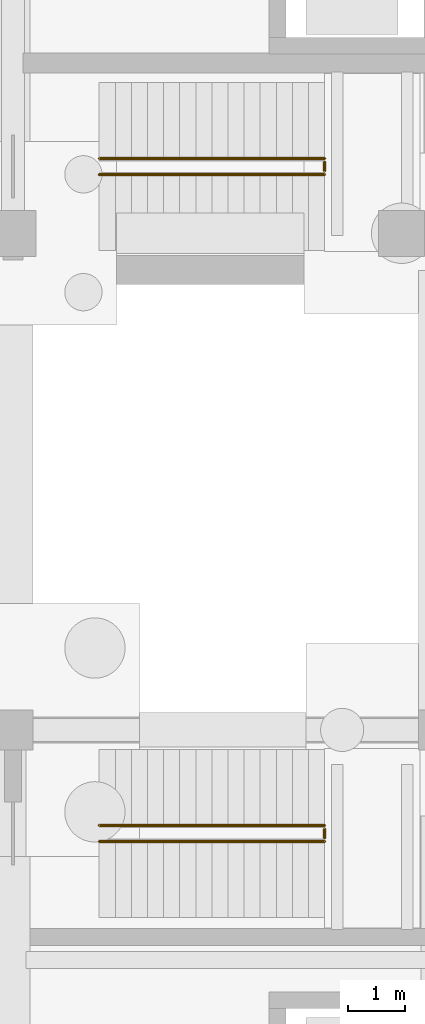
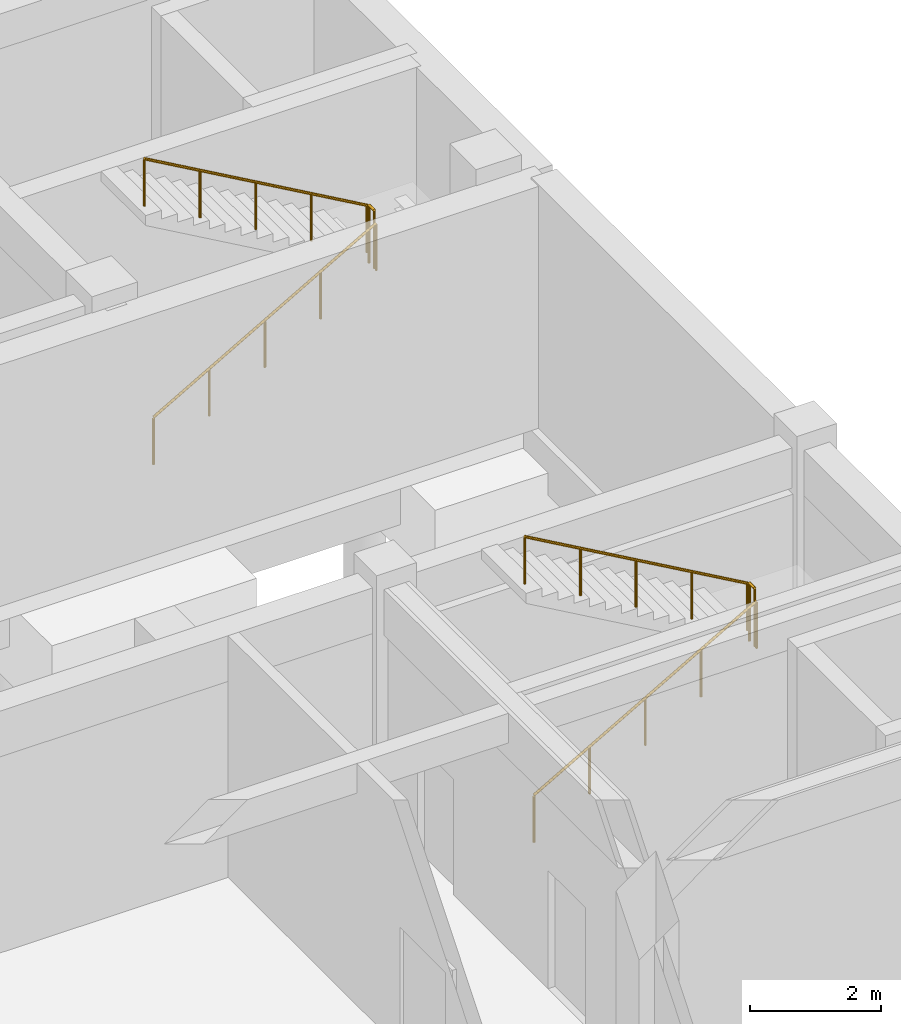
# One storey, part 33 of 35: 6 railings.
"""IFC4 building model written with IfcOpenShell, lengths in metres."""

import ifcopenshell
import ifcopenshell.guid

model = None  # the IFC model being written
_history = None  # IfcOwnerHistory: only IFC2X3 demands one
_inside = {}  # id of a spatial element -> (the spatial element, [elements in it])
_under = {}  # id of a project, library or spatial element -> (it, [spatial elements below it])
_declared = {}  # id of a project -> (the project, [libraries it declares])
_typed = {}  # id of a type object -> (the type object, [elements of that type])
_made_of = {}  # id of a material, layer set ... -> (it, [elements and type objects made of it])


def new_model(schema):
    """Start an empty IFC model of exactly this schema.

    Asked for "IFC4X3", IfcOpenShell would pick the latest addendum, in which some entities
    have other attributes; the version numbers below select the first issue.
    IFC2X3 requires an IfcOwnerHistory on every rooted entity: one is made here for all.
    """
    global model, _history
    if schema == "IFC4X3":
        model = ifcopenshell.file(schema_version=(4, 3, 0, 0))
    else:
        model = ifcopenshell.file(schema=schema)
    _inside.clear()
    _under.clear()
    _declared.clear()
    _typed.clear()
    _made_of.clear()
    _history = None
    if model.schema == "IFC2X3":
        org = make("IfcOrganization", Name="unknown")
        user = make(
            "IfcPersonAndOrganization",
            ThePerson=make("IfcPerson", FamilyName="unknown"),
            TheOrganization=org,
        )
        app = make(
            "IfcApplication",
            ApplicationDeveloper=org,
            Version="unknown",
            ApplicationFullName="unknown",
            ApplicationIdentifier="unknown",
        )
        _history = make(
            "IfcOwnerHistory",
            OwningUser=user,
            OwningApplication=app,
            ChangeAction="ADDED",
            CreationDate=0,
        )
    return model


def make(cls, **values):
    """One entity of the class cls with the attributes given. An attribute that is None is left unset."""
    return model.create_entity(
        cls, **{name: value for name, value in values.items() if value is not None}
    )


def rooted(cls, **values):
    """An entity with a GlobalId (a new one), such as an element, a storey or a relation."""
    return make(cls, GlobalId=ifcopenshell.guid.new(), OwnerHistory=_history, **values)


def si_unit(unit_type, name, prefix=None):
    """IfcSIUnit, for example si_unit("LENGTHUNIT", "METRE", prefix="MILLI")."""
    return make("IfcSIUnit", UnitType=unit_type, Prefix=prefix, Name=name)


def assignment(units):
    """IfcUnitAssignment: the units of a project."""
    return None if units is None else make("IfcUnitAssignment", Units=units)


def point(xyz):
    """IfcCartesianPoint."""
    return None if xyz is None else make("IfcCartesianPoint", Coordinates=xyz)


def direction(xyz):
    """IfcDirection."""
    return None if xyz is None else make("IfcDirection", DirectionRatios=xyz)


def frame(location, z_axis=None, x_axis=None):
    """IfcAxis2Placement3D, a coordinate frame: its origin and axes. An axis left out is left unset."""
    return make(
        "IfcAxis2Placement3D",
        Location=point(location),
        Axis=direction(z_axis),
        RefDirection=direction(x_axis),
    )


def frame_2d(location, x_axis=None):
    """IfcAxis2Placement2D, a coordinate frame in the plane: its origin and x axis."""
    return make(
        "IfcAxis2Placement2D", Location=point(location), RefDirection=direction(x_axis)
    )


def origin():
    """The frame at (0, 0, 0) with its axes left unset."""
    return frame((0.0, 0.0, 0.0))


def origin_2d():
    """The frame at (0, 0) in the plane with its x axis left unset."""
    return frame_2d((0.0, 0.0))


def place(relative_to, where):
    """IfcLocalPlacement: puts the frame where relative to a parent placement (None: the world)."""
    return make(
        "IfcLocalPlacement", PlacementRelTo=relative_to, RelativePlacement=where
    )


def context(
    kind, dimensions, precision=None, world=None, true_north=None, identifier=None
):
    """IfcGeometricRepresentationContext, for example the 3D "Model" context."""
    return make(
        "IfcGeometricRepresentationContext",
        ContextIdentifier=identifier,
        ContextType=kind,
        CoordinateSpaceDimension=dimensions,
        Precision=precision,
        WorldCoordinateSystem=world,
        TrueNorth=true_north,
    )


def subcontext(parent, identifier, kind, view, scale=None):
    """IfcGeometricRepresentationSubContext, for example "Body" below "Model"."""
    return make(
        "IfcGeometricRepresentationSubContext",
        ContextIdentifier=identifier,
        ContextType=kind,
        ParentContext=parent,
        TargetScale=scale,
        TargetView=view,
    )


def project(units=None, contexts=None):
    """IfcProject with its units and contexts."""
    return rooted(
        "IfcProject",
        Name="project",
        RepresentationContexts=contexts,
        UnitsInContext=assignment(units),
    )


def spatial(cls, under=None, at=None, **own):
    """A site, building, storey or space (cls), placed at a placement, below another one or the project."""
    s = rooted(cls, ObjectPlacement=at, **own)
    if under is not None:
        _under.setdefault(under.id(), (under, []))[1].append(s)
    return s


def profile(cls, at=None, kind="AREA", **sizes):
    """A parametric profile (cls). Its sizes go by their IFC names, for example OverallWidth=200.0."""
    return make(cls, ProfileType=kind, Position=at, **sizes)


def circle(**sizes):
    """IfcCircleProfileDef."""
    return profile("IfcCircleProfileDef", **sizes)


def extrude(swept, where, along, depth):
    """IfcExtrudedAreaSolid: the profile swept, set in the frame where, extruded along a direction by depth."""
    return make(
        "IfcExtrudedAreaSolid",
        SweptArea=swept,
        Position=where,
        ExtrudedDirection=direction(along),
        Depth=depth,
    )


def shape(context_of_items, identifier, shape_type, items):
    """IfcShapeRepresentation: the items that make up one representation, for example the "Body"."""
    return make(
        "IfcShapeRepresentation",
        ContextOfItems=context_of_items,
        RepresentationIdentifier=identifier,
        RepresentationType=shape_type,
        Items=items,
    )


def material(Name=None, Category=None):
    """IfcMaterial."""
    return make("IfcMaterial", Name=Name, Category=Category)


def made_of(thing, what):
    """Note that an element or type object is made of a material, layer set ...; save() writes the relation."""
    if what is not None:
        _made_of.setdefault(what.id(), (what, []))[1].append(thing)
    return thing


def type_object(cls, material=None, **own):
    """A type object (cls), such as IfcWallType, which elements share."""
    return made_of(rooted(cls, **own), material)


def element(
    cls,
    number,
    at=None,
    inside=None,
    cuts=None,
    type_object=None,
    material=None,
    context=None,
    identifier="Body",
    shape_type=None,
    held_by="IfcProductDefinitionShape",
    body=None,
    shapes=None,
    **own,
):
    """One element of the class cls, such as IfcWall. Its Tag is "e" and its number.

    at: its placement. inside: the storey or other place that contains it. cuts: it is an
    opening in that element (IfcRelVoidsElement). A single representation is given by context,
    identifier, shape_type and body (its items); several are given by shapes. held_by: the class
    of the entity that holds the representations. save() writes the other relations.
    """
    e = rooted(cls, Tag="e%d" % number, ObjectPlacement=at, **own)
    if body is not None:
        shapes = [shape(context, identifier, shape_type, body)]
    if shapes is not None:
        e.Representation = make(held_by, Representations=shapes)
    if inside is not None:
        _inside.setdefault(inside.id(), (inside, []))[1].append(e)
    if cuts is not None:
        rooted(
            "IfcRelVoidsElement", RelatingBuildingElement=cuts, RelatedOpeningElement=e
        )
    if type_object is not None:
        _typed.setdefault(type_object.id(), (type_object, []))[1].append(e)
    return made_of(e, material)


def aggregate(whole, parts):
    """IfcRelAggregates: a whole, such as a stair, and the parts it consists of."""
    return rooted("IfcRelAggregates", RelatingObject=whole, RelatedObjects=parts)


def save(model, path):
    """Write the relations noted so far, then the file.

    IfcRelAggregates (storeys below a building ...), IfcRelContainedInSpatialStructure (elements
    in a storey), IfcRelDefinesByType, IfcRelAssociatesMaterial and IfcRelDeclares: one each for
    every whole, place, type object, material and project.
    """
    for whole, parts in _under.values():
        aggregate(whole, parts)
    for where, things in _inside.values():
        rooted(
            "IfcRelContainedInSpatialStructure",
            RelatedElements=things,
            RelatingStructure=where,
        )
    for kind, things in _typed.values():
        rooted("IfcRelDefinesByType", RelatedObjects=things, RelatingType=kind)
    for what, things in _made_of.values():
        rooted("IfcRelAssociatesMaterial", RelatedObjects=things, RelatingMaterial=what)
    for by, libraries in _declared.values():
        rooted("IfcRelDeclares", RelatingContext=by, RelatedDefinitions=libraries)
    model.write(path)


model = new_model("IFC4")

# Units and contexts
model_context = context("Model", 3, precision=1e-05, world=origin(), true_north=direction((0.0, 1.0)))
body_context = subcontext(model_context, "Body", "Model", "MODEL_VIEW")
ifc_project = project(units=[si_unit("LENGTHUNIT", "METRE"), si_unit("AREAUNIT", "SQUARE_METRE"), si_unit("VOLUMEUNIT", "CUBIC_METRE"), si_unit("PLANEANGLEUNIT", "RADIAN"), si_unit("MASSUNIT", "GRAM", prefix="KILO")], contexts=[model_context])

# Site, building, storey
site_placement = place(None, origin())
site = spatial("IfcSite", under=ifc_project, at=site_placement, CompositionType="ELEMENT")
building_placement = place(site_placement, origin())
building = spatial("IfcBuilding", under=site, at=building_placement, Name="Cinchona Park Media Centre", CompositionType="ELEMENT")
storey_placement = place(building_placement, frame((0.0, 0.0, -4.800048828125)))
storey = spatial("IfcBuildingStorey", under=building, at=storey_placement, Name="B1", CompositionType="ELEMENT", Elevation=-4.800048828125)

# Railings
ifc_material_1 = material(Name="Painted Steel Stairwell Guardrail", Category="steel")
railing_type_1 = type_object("IfcRailingType", Name="RAILING-GR02", PredefinedType="GUARDRAIL", material=ifc_material_1)
for number, where, name in (
    (1, (170.02001953125, 73.320068359375, 2.400146484375), "Half-Landing Guardrail GR02 ST1 B1"),
    (2, (170.02001953125, 61.719970703125, 2.400146484375), "Half-Landing Guardrail GR02 ST7 B1"),
):
    element("IfcRailing", number, at=place(storey_placement, frame(where)), inside=storey, type_object=railing_type_1, Name=name, PredefinedType="GUARDRAIL", context=body_context, shape_type="SweptSolid", body=[
        extrude(circle(Radius=0.02392578125, at=origin_2d()), frame((0.0, 0.0, 1.076171875), z_axis=(0.0, 1.0, 0.0), x_axis=(-1.0, 0.0, 0.0)), (0.0, 0.0, 1.0), 0.159912109375),
        extrude(circle(Radius=0.02099609375, at=origin_2d()), origin(), (0.0, 0.0, 1.0), 1.052001953125),
        extrude(circle(Radius=0.02099609375, at=origin_2d()), frame((0.0, 0.159912109375, 0.0)), (0.0, 0.0, 1.0), 1.052001953125),
    ])
ifc_material_2 = material(Name="Brushed Stainless Steel Handrail", Category="steel")
railing_type_2 = type_object("IfcRailingType", Name="RAILING-HR01", PredefinedType="HANDRAIL", material=ifc_material_2)
railing_1_placement = place(storey_placement, frame((166.10009765625, 73.260009765625, 0.16015625)))
element("IfcRailing", 3, at=railing_1_placement, inside=storey, type_object=railing_type_2, Name="Stair Handrail HR01 ST1 B1 F1", PredefinedType="HANDRAIL", context=body_context, shape_type="SweptSolid", body=[
    extrude(circle(Radius=0.02392578125, at=origin_2d()), frame((0.0, 0.0, 0.8759765625), z_axis=(0.868239814368, 0.0, 0.496144761885), x_axis=(0.0, 1.0, 0.0)), (0.0, 0.0, 1.0), 4.514892578125),
    extrude(circle(Radius=0.02099609375, at=origin_2d()), origin(), (0.0, 0.0, 1.0), 0.851806640625),
    extrude(circle(Radius=0.02099609375, at=origin_2d()), frame((0.97998046875, 0.0, 0.56005859375)), (0.0, 0.0, 1.0), 0.851806640625),
    extrude(circle(Radius=0.02099609375, at=origin_2d()), frame((1.9599609375, 0.0, 1.1201171875)), (0.0, 0.0, 1.0), 0.851806640625),
    extrude(circle(Radius=0.02099609375, at=origin_2d()), frame((2.93994140625, 0.0, 1.679931640625)), (0.0, 0.0, 1.0), 0.851806640625),
    extrude(circle(Radius=0.02099609375, at=origin_2d()), frame((3.919921875, 0.0, 2.239990234375)), (0.0, 0.0, 1.0), 0.851806640625),
])
railing_2_placement = place(storey_placement, frame((170.02001953125, 73.5400390625, 2.56005859375)))
element("IfcRailing", 4, at=railing_2_placement, inside=storey, type_object=railing_type_2, Name="Stair Handrail HR01 ST1 B1 F2", PredefinedType="HANDRAIL", context=body_context, shape_type="SweptSolid", body=[
    extrude(circle(Radius=0.02392578125, at=origin_2d()), frame((0.0, 0.0, 0.8759765625), z_axis=(-0.868239814368, 0.0, 0.496144761885), x_axis=(0.0, -1.0, 0.0)), (0.0, 0.0, 1.0), 4.514892578125),
    extrude(circle(Radius=0.02099609375, at=origin_2d()), origin(), (0.0, 0.0, 1.0), 0.851806640625),
    extrude(circle(Radius=0.02099609375, at=origin_2d()), frame((-0.97998046875, 0.0, 0.56005859375)), (0.0, 0.0, 1.0), 0.851806640625),
    extrude(circle(Radius=0.02099609375, at=origin_2d()), frame((-1.9599609375, 0.0, 1.1201171875)), (0.0, 0.0, 1.0), 0.851806640625),
    extrude(circle(Radius=0.02099609375, at=origin_2d()), frame((-2.93994140625, 0.0, 1.679931640625)), (0.0, 0.0, 1.0), 0.851806640625),
    extrude(circle(Radius=0.02099609375, at=origin_2d()), frame((-3.919921875, 0.0, 2.239990234375)), (0.0, 0.0, 1.0), 0.851806640625),
])
railing_3_placement = place(storey_placement, frame((166.10009765625, 61.659912109375, 0.16015625)))
element("IfcRailing", 5, at=railing_3_placement, inside=storey, type_object=railing_type_2, Name="Stair Handrail HR01 ST7 B1 F1", PredefinedType="HANDRAIL", context=body_context, shape_type="SweptSolid", body=[
    extrude(circle(Radius=0.02392578125, at=origin_2d()), frame((0.0, 0.0, 0.8759765625), z_axis=(0.868239814368, 0.0, 0.496144761885), x_axis=(0.0, 1.0, 0.0)), (0.0, 0.0, 1.0), 4.514892578125),
    extrude(circle(Radius=0.02099609375, at=origin_2d()), origin(), (0.0, 0.0, 1.0), 0.851806640625),
    extrude(circle(Radius=0.02099609375, at=origin_2d()), frame((0.97998046875, 0.0, 0.56005859375)), (0.0, 0.0, 1.0), 0.851806640625),
    extrude(circle(Radius=0.02099609375, at=origin_2d()), frame((1.9599609375, 0.0, 1.1201171875)), (0.0, 0.0, 1.0), 0.851806640625),
    extrude(circle(Radius=0.02099609375, at=origin_2d()), frame((2.93994140625, 0.0, 1.679931640625)), (0.0, 0.0, 1.0), 0.851806640625),
    extrude(circle(Radius=0.02099609375, at=origin_2d()), frame((3.919921875, 0.0, 2.239990234375)), (0.0, 0.0, 1.0), 0.851806640625),
])
railing_4_placement = place(storey_placement, frame((170.02001953125, 61.93994140625, 2.56005859375)))
element("IfcRailing", 6, at=railing_4_placement, inside=storey, type_object=railing_type_2, Name="Stair Handrail HR01 ST7 B1 F2", PredefinedType="HANDRAIL", context=body_context, shape_type="SweptSolid", body=[
    extrude(circle(Radius=0.02392578125, at=origin_2d()), frame((0.0, 0.0, 0.8759765625), z_axis=(-0.868239814368, 0.0, 0.496144761885), x_axis=(0.0, -1.0, 0.0)), (0.0, 0.0, 1.0), 4.514892578125),
    extrude(circle(Radius=0.02099609375, at=origin_2d()), origin(), (0.0, 0.0, 1.0), 0.851806640625),
    extrude(circle(Radius=0.02099609375, at=origin_2d()), frame((-0.97998046875, 0.0, 0.56005859375)), (0.0, 0.0, 1.0), 0.851806640625),
    extrude(circle(Radius=0.02099609375, at=origin_2d()), frame((-1.9599609375, 0.0, 1.1201171875)), (0.0, 0.0, 1.0), 0.851806640625),
    extrude(circle(Radius=0.02099609375, at=origin_2d()), frame((-2.93994140625, 0.0, 1.679931640625)), (0.0, 0.0, 1.0), 0.851806640625),
    extrude(circle(Radius=0.02099609375, at=origin_2d()), frame((-3.919921875, 0.0, 2.239990234375)), (0.0, 0.0, 1.0), 0.851806640625),
])

save(model, "model.ifc")
